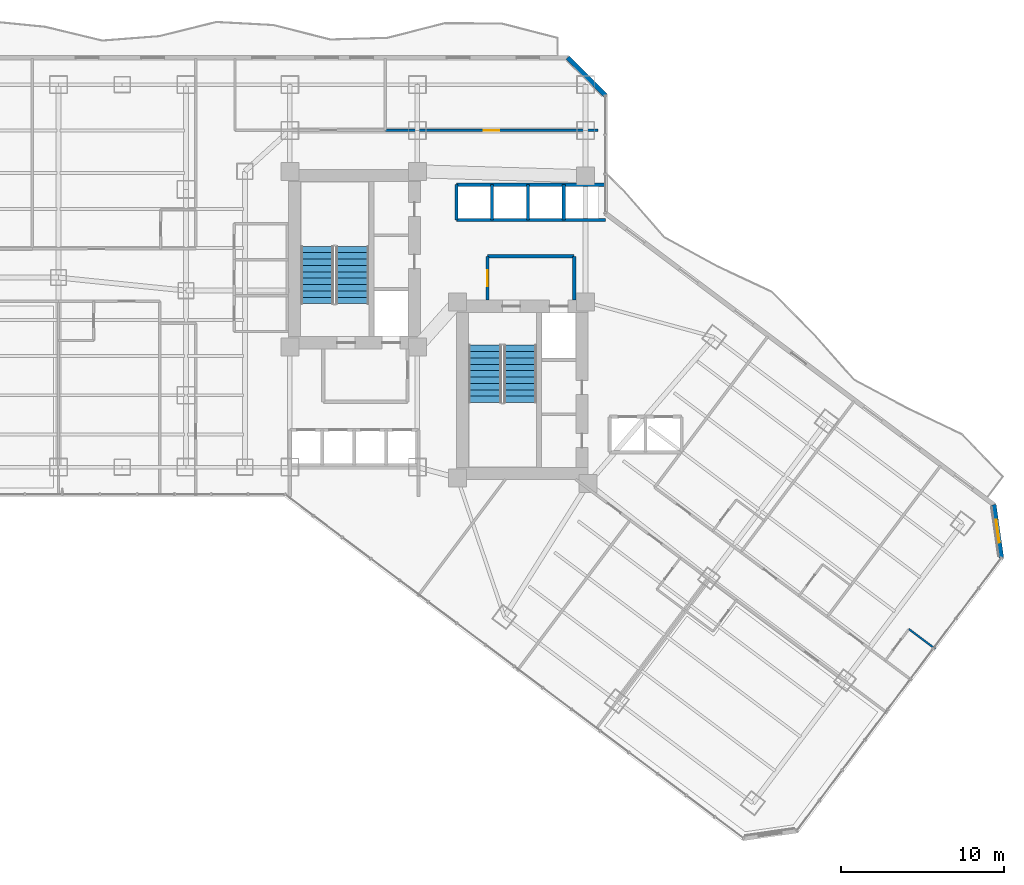
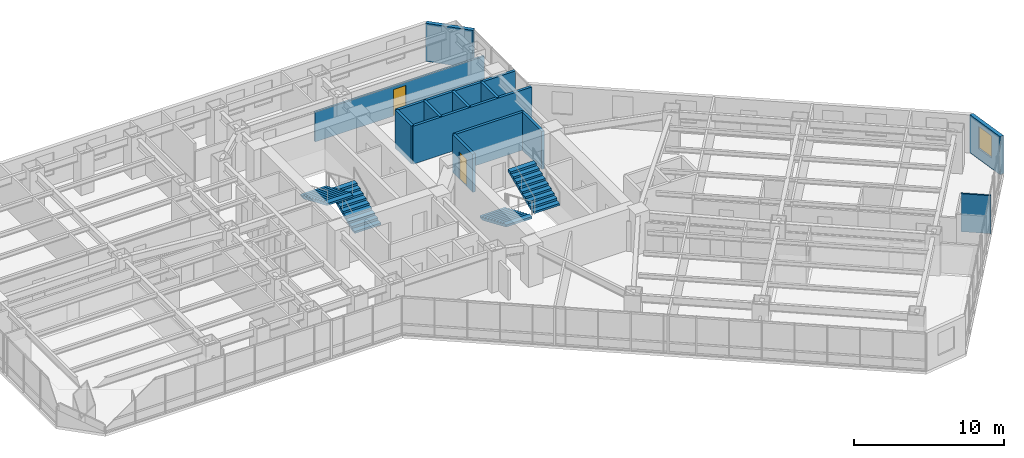
# One storey, part 32 of 39: 13 walls, 4 stair flights, 2 doors, 1 window, 3 openings, 2 elements without a shape of their own.
"""IFC4 building model written with IfcOpenShell, lengths in metres."""

from ifc_helpers import new_model, si_unit, direction, frame, frame_2d, origin, place, context, subcontext, project, spatial, polyline, rectangle, outline, extrude, material, layer, layer_set, type_object, element, fill, aggregate, save


model = new_model("IFC4")

# Units and contexts
model_context = context("Model", 3, precision=1e-05, world=origin(), true_north=direction((0.0, 1.0)))
body_context = subcontext(model_context, "Body", "Model", "MODEL_VIEW")
ifc_project = project(units=[si_unit("LENGTHUNIT", "METRE"), si_unit("AREAUNIT", "SQUARE_METRE"), si_unit("VOLUMEUNIT", "CUBIC_METRE"), si_unit("PLANEANGLEUNIT", "RADIAN"), si_unit("MASSUNIT", "GRAM", prefix="KILO")], contexts=[model_context])

# Site, building, storey
site_placement = place(None, origin())
site = spatial("IfcSite", under=ifc_project, at=site_placement, CompositionType="ELEMENT")
building_placement = place(site_placement, origin())
building = spatial("IfcBuilding", under=site, at=building_placement, Name="Hatsunagi Terrace Concourse", CompositionType="ELEMENT")
storey_placement = place(building_placement, frame((0.0, 0.0, 66.75)))
storey = spatial("IfcBuildingStorey", under=building, at=storey_placement, Name="L17", CompositionType="ELEMENT", Elevation=66.75)

# Wall
ifc_material_1 = material(Name="Acoustic mineral board", Category="gypsum")
ifc_layer_1 = layer(ifc_material_1, 0.1201171875)
ifc_layer_set_1 = layer_set([ifc_layer_1], Name="PartitionWall_EI30_120")
wall_type_1 = type_object("IfcWallType", Name="PartitionWall_EI30_120", PredefinedType="PARTITIONING", material=ifc_layer_set_1)
wall_1_placement = place(storey_placement, frame((63.429931640625, 15.2900390625, 0.0), z_axis=(0.0, 0.0, 1.0), x_axis=(0.800014574191, -0.599980567254, 0.0)))
element("IfcWall", 1, at=wall_1_placement, inside=storey, type_object=wall_type_1, Name="Interior Partition IW-L17-080", PredefinedType="PARTITIONING", context=body_context, shape_type="SweptSolid", body=[
    extrude(rectangle(XDim=2.01025390625, YDim=0.1201171875, at=frame_2d((1.005126953125, 0.0))), origin(), (0.0, 0.0, 1.0), 3.090087890625),
])

# Wall, opening, door
ifc_material_2 = material(Name="Acoustic mineral board", Category="gypsum")
ifc_layer_2 = layer(ifc_material_2, 0.14990234375)
ifc_layer_set_2 = layer_set([ifc_layer_2], Name="PartitionWall_EI60_150")
wall_type_2 = type_object("IfcWallType", Name="PartitionWall_EI60_150", PredefinedType="PARTITIONING", material=ifc_layer_set_2)
wall_2_placement = place(storey_placement, frame((31.39990234375, 45.800048828125, 0.0), z_axis=(0.0, 0.0, 1.0), x_axis=(1.0, 0.0, 0.0)))
wall_2 = element("IfcWall", 2, at=wall_2_placement, inside=storey, type_object=wall_type_2, Name="Interior Partition IW-L17-040", PredefinedType="PARTITIONING", context=body_context, shape_type="SweptSolid", body=[
    extrude(rectangle(XDim=13.0, YDim=0.14990234375, at=frame_2d((6.5, 0.0))), origin(), (0.0, 0.0, 1.0), 2.425048828125),
])
opening_1_placement = place(wall_2_placement, frame((6.02490234375, 0.0, 0.0)))
opening_1 = element("IfcOpeningElement", 3, at=opening_1_placement, cuts=wall_2, Name="Opening DR-095", PredefinedType="OPENING", context=body_context, shape_type="SweptSolid", body=[
    extrude(rectangle(XDim=0.949951171875, YDim=2.14990234375, at=frame_2d((0.47509765625, 1.074951171875))), frame((0.0, 0.0849609375, 0.0), z_axis=(0.0, -1.0, 0.0), x_axis=(1.0, 0.0, 0.0)), (0.0, 0.0, 1.0), 0.169921875),
])
ifc_material_3 = material(Name="Hardwood timber", Category="wood")
door_type_1 = type_object("IfcDoorType", Name="InteriorSuiteDoor_EI30_950", OperationType="NOTDEFINED", PredefinedType="DOOR", material=ifc_material_3)
door_1_placement = place(opening_1_placement, origin())
door_1 = element("IfcDoor", 4, at=door_1_placement, inside=storey, type_object=door_type_1, Name="VIP Lounge L17-HLNG Door", OperationType="SINGLE_SWING_LEFT", OverallHeight=2.14990234375, OverallWidth=0.949951171875, PredefinedType="DOOR", context=body_context, shape_type="SweptSolid", body=[
    extrude(rectangle(XDim=0.949951171875, YDim=2.14990234375, at=frame_2d((0.47509765625, 1.074951171875))), frame((0.0, 0.02490234375, 0.0), z_axis=(0.0, -1.0, 0.0), x_axis=(1.0, 0.0, 0.0)), (0.0, 0.0, 1.0), 0.050048828125),
])
fill(opening_1, door_1)

# Walls
ifc_material_4 = material(Name="Acoustic mineral board", Category="gypsum")
ifc_layer_3 = layer(ifc_material_4, 0.199951171875)
ifc_layer_set_3 = layer_set([ifc_layer_3], Name="ShaftWall_EI120_200")
wall_type_3 = type_object("IfcWallType", Name="ShaftWall_EI120_200", PredefinedType="STANDARD", material=ifc_layer_set_3)
wall_3_placement = place(storey_placement, frame((37.64990234375, 38.10009765625, 0.0), z_axis=(0.0, 0.0, 1.0), x_axis=(1.0, 0.0, 0.0)))
element("IfcWall", 5, at=wall_3_placement, inside=storey, type_object=wall_type_3, Name="Interior Partition IW-L17-008", PredefinedType="STANDARD", context=body_context, shape_type="SweptSolid", body=[
    extrude(rectangle(XDim=5.300048828125, YDim=0.199951171875, at=frame_2d((2.64990234375, 0.0))), origin(), (0.0, 0.0, 1.0), 3.090087890625),
])
wall_4_placement = place(storey_placement, frame((42.949951171875, 35.419921875, 0.0), z_axis=(0.0, 0.0, 1.0), x_axis=(0.0, 1.0, 0.0)))
element("IfcWall", 6, at=wall_4_placement, inside=storey, type_object=wall_type_3, Name="Interior Partition IW-L17-009", PredefinedType="STANDARD", context=body_context, shape_type="SweptSolid", body=[
    extrude(rectangle(XDim=2.68017578125, YDim=0.199951171875, at=frame_2d((1.340087890625, 0.0))), origin(), (0.0, 0.0, 1.0), 3.090087890625),
])

# Wall, opening, door
wall_5_placement = place(storey_placement, frame((37.64990234375, 35.419921875, 0.0), z_axis=(0.0, 0.0, 1.0), x_axis=(0.0, 1.0, 0.0)))
wall_5 = element("IfcWall", 7, at=wall_5_placement, inside=storey, type_object=wall_type_3, Name="Interior Partition IW-L17-010", PredefinedType="STANDARD", context=body_context, shape_type="SweptSolid", body=[
    extrude(rectangle(XDim=2.68017578125, YDim=0.199951171875, at=frame_2d((1.340087890625, 0.0))), origin(), (0.0, 0.0, 1.0), 3.090087890625),
])
opening_2_placement = place(wall_5_placement, frame((0.840087890625, 0.0, 0.0)))
opening_2 = element("IfcOpeningElement", 8, at=opening_2_placement, cuts=wall_5, Name="Opening DR-100F", PredefinedType="OPENING", context=body_context, shape_type="SweptSolid", body=[
    extrude(rectangle(XDim=1.0, YDim=2.199951171875, at=frame_2d((0.5, 1.10009765625))), frame((0.0, 0.10986328125, 0.0), z_axis=(0.0, -1.0, 0.0), x_axis=(1.0, 0.0, 0.0)), (0.0, 0.0, 1.0), 0.219970703125),
])
ifc_material_5 = material(Name="Painted steel", Category="steel")
door_type_2 = type_object("IfcDoorType", Name="FireDoor_EI60_1000", OperationType="NOTDEFINED", PredefinedType="DOOR", material=ifc_material_5)
door_2_placement = place(opening_2_placement, origin())
door_2 = element("IfcDoor", 9, at=door_2_placement, inside=storey, type_object=door_type_2, Name="Firefighting Lobby B Door L17", OperationType="SINGLE_SWING_RIGHT", OverallHeight=2.199951171875, OverallWidth=1.0, PredefinedType="DOOR", context=body_context, shape_type="SweptSolid", body=[
    extrude(rectangle(XDim=1.0, YDim=2.199951171875, at=frame_2d((0.5, 1.10009765625))), frame((0.0, 0.02490234375, 0.0), z_axis=(0.0, -1.0, 0.0), x_axis=(1.0, 0.0, 0.0)), (0.0, 0.0, 1.0), 0.050048828125),
])
fill(opening_2, door_2)

# Walls
wall_6_placement = place(storey_placement, frame((35.75, 42.47998046875, 0.0), z_axis=(0.0, 0.0, 1.0), x_axis=(1.0, 0.0, 0.0)))
element("IfcWall", 10, at=wall_6_placement, inside=storey, type_object=wall_type_3, Name="Interior Partition IW-L17-018", PredefinedType="STANDARD", context=body_context, shape_type="SweptSolid", body=[
    extrude(rectangle(XDim=9.110107421875, YDim=0.199951171875, at=frame_2d((4.55517578125, 0.0))), origin(), (0.0, 0.0, 1.0), 3.090087890625),
])
for number, where, z_axis, x_axis, name in (
    (11, (35.75, 40.320068359375, 0.0), (0.0, 0.0, 1.0), (0.0, 1.0, 0.0), "Interior Partition IW-L17-019"),
    (12, (37.919921875, 40.320068359375, 0.0), (0.0, 0.0, 1.0), (0.0, 1.0, 0.0), "Interior Partition IW-L17-020"),
    (13, (40.1201171875, 40.320068359375, 0.0), (0.0, 0.0, 1.0), (0.0, 1.0, 0.0), "Interior Partition IW-L17-021"),
    (14, (42.320068359375, 40.320068359375, 0.0), (0.0, 0.0, 1.0), (0.0, 1.0, 0.0), "Interior Partition IW-L17-022"),
):
    element("IfcWall", number, at=place(storey_placement, frame(where, z_axis=z_axis, x_axis=x_axis)), inside=storey, type_object=wall_type_3, Name=name, PredefinedType="STANDARD", context=body_context, shape_type="SweptSolid", body=[
        extrude(rectangle(XDim=2.159912109375, YDim=0.199951171875, at=frame_2d((1.080078125, 0.0))), origin(), (0.0, 0.0, 1.0), 3.090087890625),
    ])
wall_7_placement = place(storey_placement, frame((35.75, 40.320068359375, 0.0), z_axis=(0.0, 0.0, 1.0), x_axis=(1.0, 0.0, 0.0)))
element("IfcWall", 15, at=wall_7_placement, inside=storey, type_object=wall_type_3, Name="Interior Partition IW-L17-023", PredefinedType="STANDARD", context=body_context, shape_type="SweptSolid", body=[
    extrude(rectangle(XDim=9.110107421875, YDim=0.199951171875, at=frame_2d((4.55517578125, 0.0))), origin(), (0.0, 0.0, 1.0), 3.090087890625),
])

# Wall, opening, window
ifc_material_6 = material(Name="Autoclaved Lightweight Concrete and Terracotta Cladding", Category="masonry")
ifc_layer_4 = layer(ifc_material_6, 0.280029296875)
ifc_layer_set_4 = layer_set([ifc_layer_4], Name="TerracottaSpandrelWall_280")
wall_type_4 = type_object("IfcWallType", Name="TerracottaSpandrelWall_280", PredefinedType="STANDARD", material=ifc_layer_set_4)
wall_8_placement = place(storey_placement, frame((68.6298828125, 22.903076171875, 0.0), z_axis=(0.0, 0.0, 1.0), x_axis=(0.141285803956, -0.989968848803, 0.0)))
wall_8 = element("IfcWall", 16, at=wall_8_placement, inside=storey, type_object=wall_type_4, Name="Exterior Spandrel Wall EW-L17-02", PredefinedType="STANDARD", context=body_context, shape_type="SweptSolid", body=[
    extrude(rectangle(XDim=3.278076171875, YDim=0.280029296875, at=frame_2d((1.63916015625, 0.0))), origin(), (0.0, 0.0, 1.0), 3.090087890625),
])
opening_3_placement = place(wall_8_placement, frame((0.93896484375, 0.0, 0.85009765625)))
opening_3 = element("IfcOpeningElement", 17, at=opening_3_placement, cuts=wall_8, Name="Opening WIN-02", PredefinedType="OPENING", context=body_context, shape_type="SweptSolid", body=[
    extrude(rectangle(XDim=1.39990234375, YDim=1.800048828125, at=frame_2d((0.699951171875, 0.89990234375))), frame((0.0, 0.14990234375, 0.0), z_axis=(0.0, -1.0, 0.0), x_axis=(1.0, 0.0, 0.0)), (0.0, 0.0, 1.0), 0.300048828125),
])
ifc_material_7 = material(Name="Thermally Broken Aluminium and Low-E Triple Glazing", Category="aluminium")
window_type = type_object("IfcWindowType", Name="HotelOperableVentWindow_1400x1800", PartitioningType="DOUBLE_PANEL_VERTICAL", PredefinedType="WINDOW", material=ifc_material_7)
window_placement = place(opening_3_placement, origin())
window = element("IfcWindow", 18, at=window_placement, inside=storey, type_object=window_type, Name="Hotel Guestroom Window L17-02-1", OverallHeight=1.800048828125, OverallWidth=1.39990234375, PartitioningType="SINGLE_PANEL", PredefinedType="WINDOW", context=body_context, shape_type="SweptSolid", body=[
    extrude(rectangle(XDim=1.39990234375, YDim=1.800048828125, at=frame_2d((0.699951171875, 0.89990234375))), frame((0.0, 0.030029296875, 0.0), z_axis=(0.0, -1.0, 0.0), x_axis=(1.0, 0.0, 0.0)), (0.0, 0.0, 1.0), 0.06005859375),
])
fill(opening_3, window)

# Wall
wall_9_placement = place(storey_placement, frame((42.5419921875, 50.260009765625, 0.0), z_axis=(0.0, 0.0, 1.0), x_axis=(0.707106781187, -0.707106781187, 0.0)))
element("IfcWall", 19, at=wall_9_placement, inside=storey, type_object=wall_type_4, Name="Exterior Spandrel Wall EW-L17-12", PredefinedType="STANDARD", context=body_context, shape_type="SweptSolid", body=[
    extrude(rectangle(XDim=3.2783203125, YDim=0.280029296875, at=frame_2d((1.63916015625, 0.0))), origin(), (0.0, 0.0, 1.0), 3.090087890625),
])

# Stair, stair flights
ifc_material_8 = material(Name="Concrete Fc42", Category="concrete")
stair_type = type_object("IfcStairType", Name="DoglegExitStair_Tower2000_20R_167", PredefinedType="HALF_TURN_STAIR", material=ifc_material_8)
stair_1_placement = place(storey_placement, origin())
stair_1 = element("IfcStair", 20, at=stair_1_placement, inside=storey, type_object=stair_type, Name="L17 Core A Protected Exit Stair ST-A", PredefinedType="HALF_TURN_STAIR")
ifc_material_9 = material(Name="Concrete Fc42", Category="concrete")
stair_flight_type = type_object("IfcStairFlightType", Name="DoglegStairFlight_Tower2000_20R_167", PredefinedType="STRAIGHT", material=ifc_material_9)
stair_flight_1_placement = place(storey_placement, frame((29.3798828125, 35.199951171875, 0.0), z_axis=(0.0, 0.0, 1.0), x_axis=(0.0, 1.0, 0.0)))
stair_flight_1 = element("IfcStairFlight", 21, at=stair_flight_1_placement, type_object=stair_flight_type, Name="ST-A flight 1", NumberOfRisers=10, NumberOfTreads=9, PredefinedType="STRAIGHT", RiserHeight=0.1675, TreadLength=0.39, context=body_context, shape_type="SweptSolid", body=[
    extrude(outline(polyline([(0.0, 0.0), (0.0, 0.16748046875), (0.389892578125, 0.16748046875), (0.389892578125, 0.3349609375), (0.780029296875, 0.3349609375), (0.780029296875, 0.50244140625), (1.169921875, 0.50244140625), (1.169921875, 0.669921875), (1.56005859375, 0.669921875), (1.56005859375, 0.83740234375), (1.949951171875, 0.83740234375), (1.949951171875, 1.0048828125), (2.340087890625, 1.0048828125), (2.340087890625, 1.172607421875), (2.72998046875, 1.172607421875), (2.72998046875, 1.340087890625), (3.1201171875, 1.340087890625), (3.1201171875, 1.507568359375), (3.510009765625, 1.507568359375), (3.510009765625, 1.675048828125), (3.510009765625, 1.34423828125), (0.3798828125, 0.0), (0.0, 0.0)])), frame((0.0, 1.0, 0.0), z_axis=(0.0, -1.0, 0.0), x_axis=(1.0, 0.0, 0.0)), (0.0, 0.0, 1.0), 2.0),
])
stair_flight_2_placement = place(storey_placement, frame((27.22998046875, 38.7099609375, 1.675048828125), z_axis=(0.0, 0.0, 1.0), x_axis=(0.0, -1.0, 0.0)))
stair_flight_2 = element("IfcStairFlight", 22, at=stair_flight_2_placement, type_object=stair_flight_type, Name="ST-A flight 2", NumberOfRisers=10, NumberOfTreads=9, PredefinedType="STRAIGHT", RiserHeight=0.1675, TreadLength=0.39, context=body_context, shape_type="SweptSolid", body=[
    extrude(outline(polyline([(0.0, 0.0), (0.0, 0.16748046875), (0.389892578125, 0.16748046875), (0.389892578125, 0.3349609375), (0.780029296875, 0.3349609375), (0.780029296875, 0.50244140625), (1.169921875, 0.50244140625), (1.169921875, 0.669921875), (1.56005859375, 0.669921875), (1.56005859375, 0.83740234375), (1.949951171875, 0.83740234375), (1.949951171875, 1.0048828125), (2.340087890625, 1.0048828125), (2.340087890625, 1.172607421875), (2.72998046875, 1.172607421875), (2.72998046875, 1.340087890625), (3.1201171875, 1.340087890625), (3.1201171875, 1.507568359375), (3.510009765625, 1.507568359375), (3.510009765625, 1.675048828125), (3.510009765625, 1.34423828125), (0.3798828125, 0.0), (0.0, 0.0)])), frame((0.0, 1.0, 0.0), z_axis=(0.0, -1.0, 0.0), x_axis=(1.0, 0.0, 0.0)), (0.0, 0.0, 1.0), 2.0),
])
aggregate(stair_1, [stair_flight_1, stair_flight_2])

stair_2_placement = place(storey_placement, origin())
stair_2 = element("IfcStair", 23, at=stair_2_placement, inside=storey, type_object=stair_type, Name="L17 Core B Protected Exit Stair ST-B", PredefinedType="HALF_TURN_STAIR")
stair_flight_3_placement = place(storey_placement, frame((37.5, 32.659912109375, 0.0), z_axis=(0.0, 0.0, 1.0), x_axis=(0.0, -1.0, 0.0)))
stair_flight_3 = element("IfcStairFlight", 24, at=stair_flight_3_placement, type_object=stair_flight_type, Name="ST-B flight 1", NumberOfRisers=10, NumberOfTreads=9, PredefinedType="STRAIGHT", RiserHeight=0.1675, TreadLength=0.39, context=body_context, shape_type="SweptSolid", body=[
    extrude(outline(polyline([(0.0, 0.0), (0.0, 0.16748046875), (0.389892578125, 0.16748046875), (0.389892578125, 0.3349609375), (0.780029296875, 0.3349609375), (0.780029296875, 0.50244140625), (1.169921875, 0.50244140625), (1.169921875, 0.669921875), (1.56005859375, 0.669921875), (1.56005859375, 0.83740234375), (1.949951171875, 0.83740234375), (1.949951171875, 1.0048828125), (2.340087890625, 1.0048828125), (2.340087890625, 1.172607421875), (2.72998046875, 1.172607421875), (2.72998046875, 1.340087890625), (3.1201171875, 1.340087890625), (3.1201171875, 1.507568359375), (3.510009765625, 1.507568359375), (3.510009765625, 1.675048828125), (3.510009765625, 1.34423828125), (0.3798828125, 0.0), (0.0, 0.0)])), frame((0.0, 1.0, 0.0), z_axis=(0.0, -1.0, 0.0), x_axis=(1.0, 0.0, 0.0)), (0.0, 0.0, 1.0), 2.0),
])
stair_flight_4_placement = place(storey_placement, frame((39.64990234375, 29.14990234375, 1.675048828125), z_axis=(0.0, 0.0, 1.0), x_axis=(0.0, 1.0, 0.0)))
stair_flight_4 = element("IfcStairFlight", 25, at=stair_flight_4_placement, type_object=stair_flight_type, Name="ST-B flight 2", NumberOfRisers=10, NumberOfTreads=9, PredefinedType="STRAIGHT", RiserHeight=0.1675, TreadLength=0.39, context=body_context, shape_type="SweptSolid", body=[
    extrude(outline(polyline([(0.0, 0.0), (0.0, 0.16748046875), (0.389892578125, 0.16748046875), (0.389892578125, 0.3349609375), (0.780029296875, 0.3349609375), (0.780029296875, 0.50244140625), (1.169921875, 0.50244140625), (1.169921875, 0.669921875), (1.56005859375, 0.669921875), (1.56005859375, 0.83740234375), (1.949951171875, 0.83740234375), (1.949951171875, 1.0048828125), (2.340087890625, 1.0048828125), (2.340087890625, 1.172607421875), (2.72998046875, 1.172607421875), (2.72998046875, 1.340087890625), (3.1201171875, 1.340087890625), (3.1201171875, 1.507568359375), (3.510009765625, 1.507568359375), (3.510009765625, 1.675048828125), (3.510009765625, 1.34423828125), (0.3798828125, 0.0), (0.0, 0.0)])), frame((0.0, 1.0, 0.0), z_axis=(0.0, -1.0, 0.0), x_axis=(1.0, 0.0, 0.0)), (0.0, 0.0, 1.0), 2.0),
])
aggregate(stair_2, [stair_flight_3, stair_flight_4])

save(model, "model.ifc")
